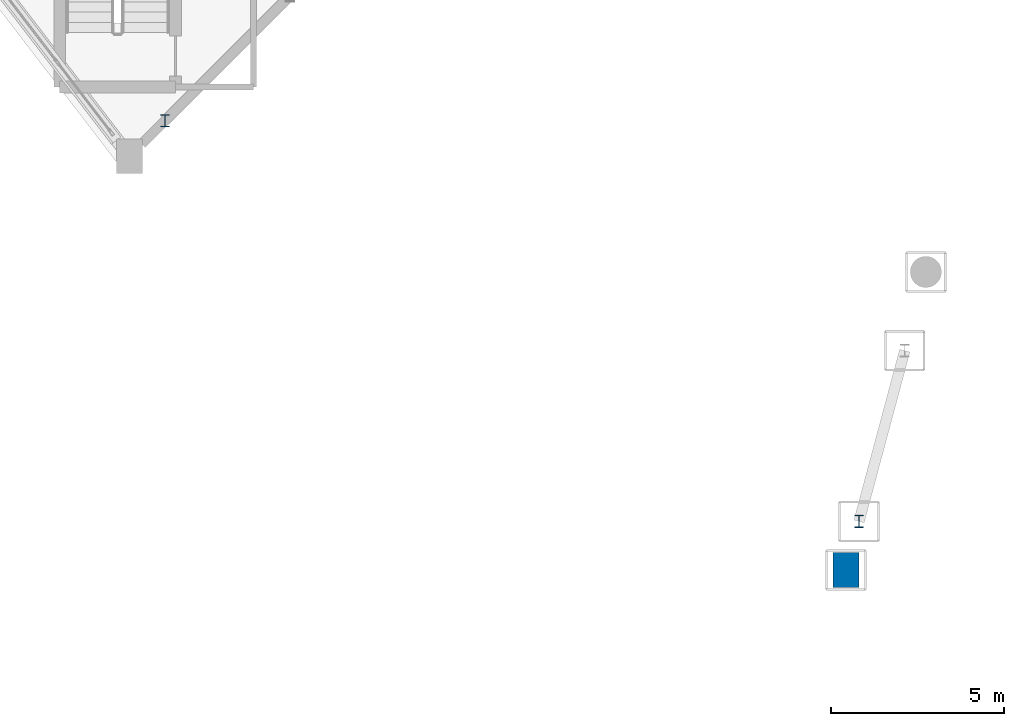
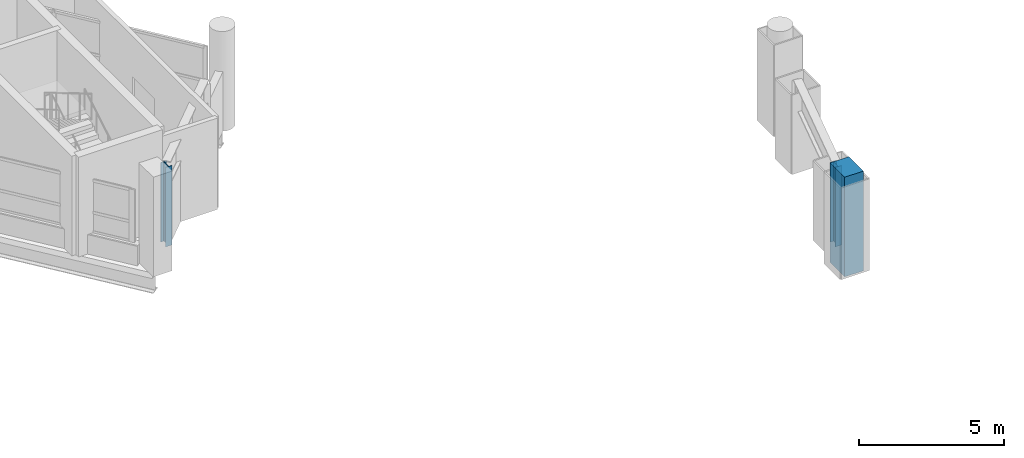
# One storey, part 2 of 128: 3 columns.
"""IFC4 building model written with IfcOpenShell, lengths in metres."""

from ifc_helpers import new_model, si_unit, direction, frame, origin, origin_2d, place, context, subcontext, project, spatial, rectangle, i_section, extrude, material, material_profile, profile_set, type_object, element, save


model = new_model("IFC4")

# Units and contexts
model_context = context("Model", 3, precision=1e-05, world=origin(), true_north=direction((0.0, 1.0)))
body_context = subcontext(model_context, "Body", "Model", "MODEL_VIEW")
ifc_project = project(units=[si_unit("LENGTHUNIT", "METRE"), si_unit("AREAUNIT", "SQUARE_METRE"), si_unit("VOLUMEUNIT", "CUBIC_METRE"), si_unit("PLANEANGLEUNIT", "RADIAN"), si_unit("MASSUNIT", "GRAM", prefix="KILO")], contexts=[model_context])

# Site, building, storey
site_placement = place(None, origin())
site = spatial("IfcSite", under=ifc_project, at=site_placement, CompositionType="ELEMENT")
building_placement = place(site_placement, origin())
building = spatial("IfcBuilding", under=site, at=building_placement, Name="Vespera Passage Community Centre", CompositionType="ELEMENT")
storey_placement = place(building_placement, frame((0.0, 0.0, 4.5)))
storey = spatial("IfcBuildingStorey", under=building, at=storey_placement, Name="L01", CompositionType="ELEMENT", Elevation=4.5)

# Columns
ifc_material_1 = material(Name="Concrete f'c 45 MPa", Category="concrete")
ifc_material_profile_1 = material_profile(ifc_material_1, rectangle(XDim=0.75, YDim=1.0, at=origin_2d()), Name="RC1000X750")
ifc_profile_set_1 = profile_set([ifc_material_profile_1], Name="Concrete f'c 45 MPa")
column_type_1 = type_object("IfcColumnType", Name="COL-RC1000X750E", PredefinedType="COLUMN", material=ifc_profile_set_1)
column_placement = place(storey_placement, frame((66.068359375, 20.970703125, 0.0), z_axis=(0.0, 0.0, 1.0), x_axis=(1.0, 0.0, 0.0)))
element("IfcColumn", 1, at=column_placement, inside=storey, type_object=column_type_1, Name="L01 Column V4-O17", PredefinedType="COLUMN", context=body_context, shape_type="SweptSolid", body=[
    extrude(rectangle(XDim=0.75, YDim=1.0, at=origin_2d()), origin(), (0.0, 0.0, 1.0), 4.199951171875),
])
ifc_material_2 = material(Name="Steel ASTM A992 Grade 50", Category="steel")
ifc_material_profile_2 = material_profile(ifc_material_2, i_section(OverallWidth=0.2548828125, OverallDepth=0.356689453125, WebThickness=0.010498046875, FlangeThickness=0.018310546875, FilletRadius=0.01513671875, at=origin_2d()), Name="W14X68")
ifc_profile_set_2 = profile_set([ifc_material_profile_2], Name="Steel ASTM A992 Grade 50")
column_type_2 = type_object("IfcColumnType", Name="COL-W14X68I", PredefinedType="COLUMN", material=ifc_profile_set_2)
for number, where, z_axis, x_axis, name in (
    (2, (46.427734375, 33.927734375, 0.0), (0.0, 0.0, 1.0), (1.0, 0.0, 0.0), "L01 Column TRANC-O150"),
    (3, (66.443603515625, 22.371337890625, 0.0), (0.0, 0.0, 1.0), (1.0, 0.0, 0.0), "L01 Column TRANC-O170"),
):
    element("IfcColumn", number, at=place(storey_placement, frame(where, z_axis=z_axis, x_axis=x_axis)), inside=storey, type_object=column_type_2, Name=name, PredefinedType="COLUMN", context=body_context, shape_type="SweptSolid", body=[
        extrude(i_section(OverallWidth=0.2548828125, OverallDepth=0.356689453125, WebThickness=0.010498046875, FlangeThickness=0.018310546875, FilletRadius=0.01513671875, at=origin_2d()), origin(), (0.0, 0.0, 1.0), 3.35009765625),
    ])

save(model, "model.ifc")
